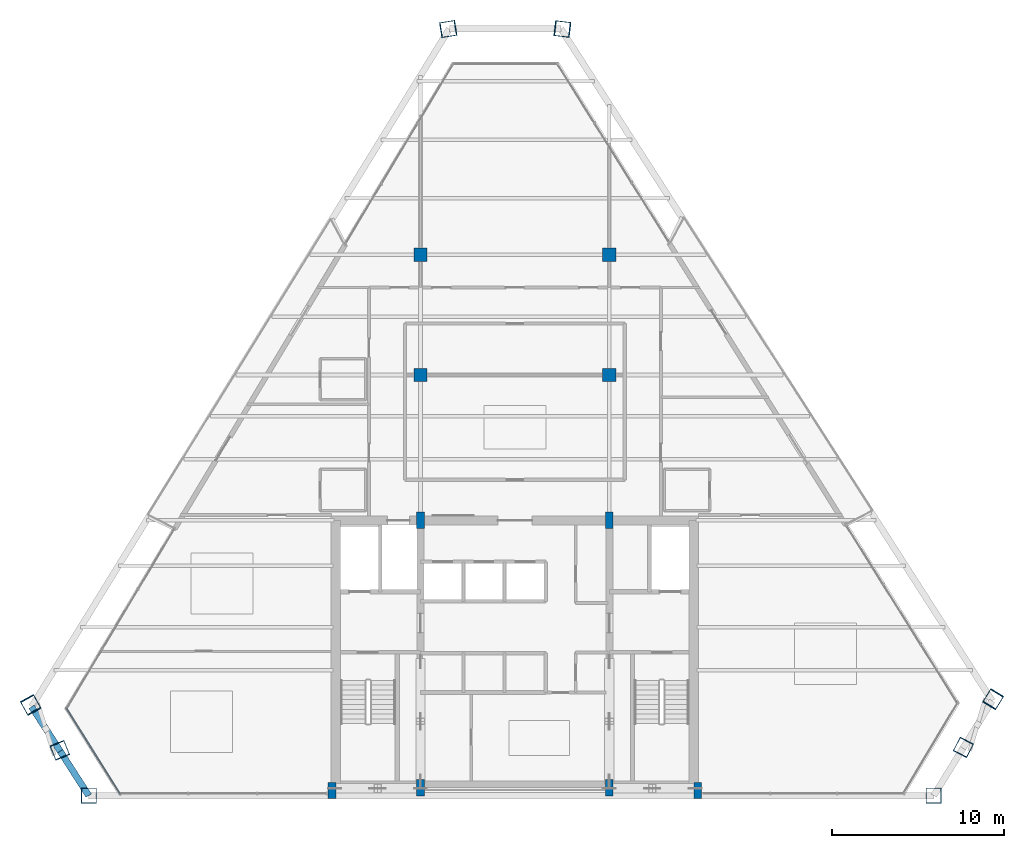
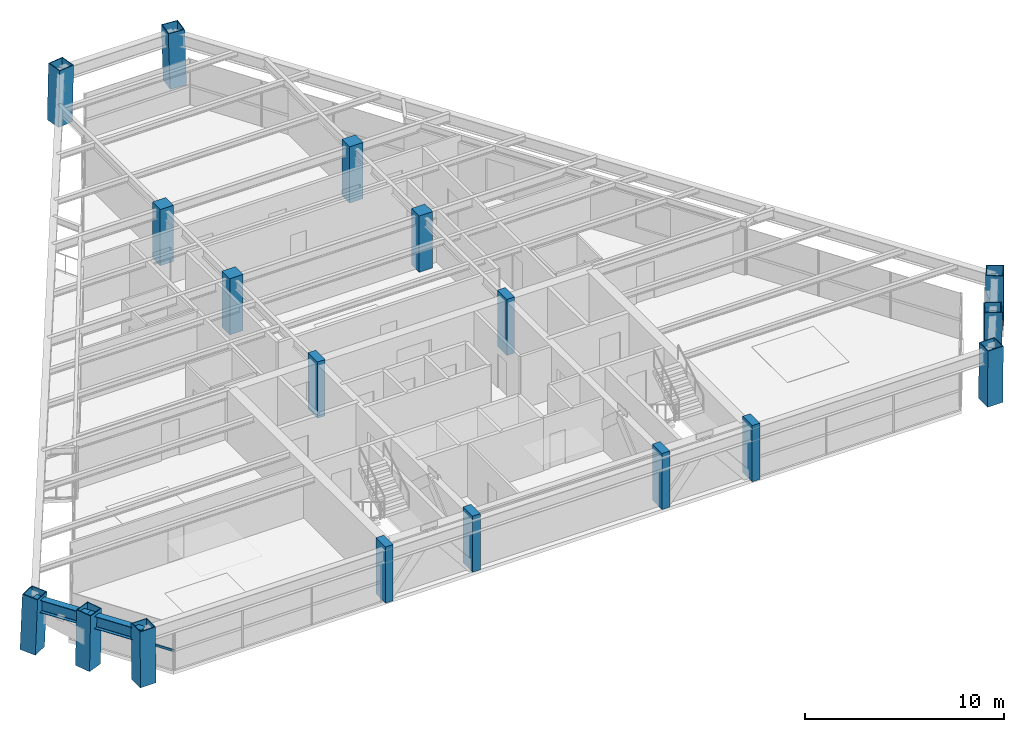
# One storey, part 1 of 12: 18 columns, 2 beams, 1 member, 1 element without a shape of its own.
"""IFC4 building model written with IfcOpenShell, lengths in metres."""

from ifc_helpers import new_model, si_unit, direction, frame, origin, origin_2d, place, context, subcontext, project, spatial, rectangle, hollow_rectangle, i_section, extrude, source, transform, mapped, material, material_profile, profile_set, type_object, element, aggregate, save


model = new_model("IFC4")

# Units and contexts
model_context = context("Model", 3, precision=1e-05, world=origin(), true_north=direction((0.0, 1.0)))
body_context = subcontext(model_context, "Body", "Model", "MODEL_VIEW")
ifc_project = project(units=[si_unit("LENGTHUNIT", "METRE"), si_unit("AREAUNIT", "SQUARE_METRE"), si_unit("VOLUMEUNIT", "CUBIC_METRE"), si_unit("PLANEANGLEUNIT", "RADIAN"), si_unit("MASSUNIT", "GRAM", prefix="KILO")], contexts=[model_context])

# Site, building, storey
site_placement = place(None, origin())
site = spatial("IfcSite", under=ifc_project, at=site_placement, CompositionType="ELEMENT")
building_placement = place(site_placement, origin())
building = spatial("IfcBuilding", under=site, at=building_placement, Name="Varnakhor Terracotta Tower", CompositionType="ELEMENT")
storey_placement = place(building_placement, frame((0.0, 0.0, 220.0)))
storey = spatial("IfcBuildingStorey", under=building, at=storey_placement, Name="L56", CompositionType="ELEMENT", Elevation=220.0)

# Columns
ifc_material_1 = material(Name="Concrete C50/60", Category="concrete")
ifc_material_profile_1 = material_profile(ifc_material_1, rectangle(XDim=0.449951171875, YDim=0.949951171875, at=origin_2d()), Name="RC PILASTER 950x450")
ifc_profile_set_1 = profile_set([ifc_material_profile_1], Name="Concrete C50/60")
column_type_1 = type_object("IfcColumnType", Name="COL-PIL-950x450", PredefinedType="PILASTER", material=ifc_profile_set_1)
shared_shape_1 = source(origin(), body_context, "Body", "SweptSolid", [
    extrude(rectangle(XDim=0.449951171875, YDim=0.949951171875, at=origin_2d()), origin(), (0.0, 0.0, 1.0), 3.449951171875),
])
for number, where, z_axis, x_axis, name in (
    (1, (-10.64990234375, 0.300048828125, 0.0), (0.0, 0.0, 1.0), (1.0, 0.0, 0.0), "L56 Core Pilaster CP1"),
    (2, (-5.5, 0.449951171875, 0.0), (0.0, 0.0, 1.0), (1.0, 0.0, 0.0), "L56 Core Pilaster CP2"),
    (3, (5.5, 0.449951171875, 0.0), (0.0, 0.0, 1.0), (1.0, 0.0, 0.0), "L56 Core Pilaster CP3"),
    (4, (10.64990234375, 0.300048828125, 0.0), (0.0, 0.0, 1.0), (1.0, 0.0, 0.0), "L56 Core Pilaster CP4"),
    (5, (-5.5, 16.050048828125, 0.0), (0.0, 0.0, 1.0), (1.0, 0.0, 0.0), "L56 Core Pilaster CP5"),
    (6, (5.5, 16.050048828125, 0.0), (0.0, 0.0, 1.0), (1.0, 0.0, 0.0), "L56 Core Pilaster CP6"),
):
    element("IfcColumn", number, at=place(storey_placement, frame(where, z_axis=z_axis, x_axis=x_axis)), inside=storey, type_object=column_type_1, Name=name, PredefinedType="PILASTER", context=body_context, shape_type="MappedRepresentation", body=[
        mapped(shared_shape_1, transform((0.0, 0.0, 0.0), scale=1.0)),
    ])
ifc_material_2 = material(Name="Steel S460", Category="steel")
ifc_material_profile_2 = material_profile(ifc_material_2, hollow_rectangle(XDim=0.89990234375, YDim=0.89990234375, WallThickness=0.044921875, at=origin_2d()), Name="BOX 900x900x45")
ifc_profile_set_2 = profile_set([ifc_material_profile_2], Name="Steel S460")
column_type_2 = type_object("IfcColumnType", Name="COL-MEGA-900", PredefinedType="COLUMN", material=ifc_profile_set_2)
shared_shape_2 = source(origin(), body_context, "Body", "SweptSolid", [
    extrude(hollow_rectangle(XDim=0.89990234375, YDim=0.89990234375, WallThickness=0.044921875, at=origin_2d()), origin(), (0.0, 0.0, 1.0), 3.441162109375),
])
for number, where, z_axis, x_axis, name in (
    (7, (-24.810791015625, 0.0, 0.00439453125), (-0.005108127751, 0.0, 0.99998695343), (0.0, -1.0, 0.0), "L56 Perimeter Mega-Column M1"),
    (8, (24.388671875, 0.0, 0.00439453125), (0.003121659143, 0.0, 0.99999512761), (0.0, 1.0, 0.0), "L56 Perimeter Mega-Column M2"),
):
    element("IfcColumn", number, at=place(storey_placement, frame(where, z_axis=z_axis, x_axis=x_axis)), inside=storey, type_object=column_type_2, Name=name, PredefinedType="COLUMN", context=body_context, shape_type="MappedRepresentation", body=[
        mapped(shared_shape_2, transform((0.0, 0.0, 0.0), scale=1.0)),
    ])
shared_shape_3 = source(origin(), body_context, "Body", "SweptSolid", [
    extrude(hollow_rectangle(XDim=0.89990234375, YDim=0.89990234375, WallThickness=0.044921875, at=origin_2d()), origin(), (0.0, 0.0, 1.0), 3.44189453125),
])
for number, where, z_axis, x_axis, name in (
    (9, (26.13037109375, 2.818115234375, 0.00439453125), (-0.008724933304, -0.016811456855, 0.999820609138), (0.88758442391, -0.460645080764, 0.0), "L56 Perimeter Mega-Column M3"),
    (10, (-26.51513671875, 2.650634765625, 0.00439453125), (0.007164359834, -0.017662629689, 0.999818335229), (0.926669210153, 0.375877872392, 0.0), "L56 Perimeter Mega-Column M8"),
):
    element("IfcColumn", number, at=place(storey_placement, frame(where, z_axis=z_axis, x_axis=x_axis)), inside=storey, type_object=column_type_2, Name=name, PredefinedType="COLUMN", context=body_context, shape_type="MappedRepresentation", body=[
        mapped(shared_shape_3, transform((0.0, 0.0, 0.0), scale=1.0)),
    ])
shared_shape_4 = source(origin(), body_context, "Body", "SweptSolid", [
    extrude(hollow_rectangle(XDim=0.89990234375, YDim=0.89990234375, WallThickness=0.044921875, at=origin_2d()), origin(), (0.0, 0.0, 1.0), 3.44384765625),
])
column_1_placement = place(storey_placement, frame((27.871826171875, 5.63623046875, 0.00439453125), z_axis=(-0.020487839401, -0.033602892305, 0.999225246912), x_axis=(0.853815703586, -0.520575397334, 0.0)))
element("IfcColumn", 11, at=column_1_placement, inside=storey, type_object=column_type_2, Name="L56 Perimeter Mega-Column M4", PredefinedType="COLUMN", context=body_context, shape_type="MappedRepresentation", body=[
    mapped(shared_shape_4, transform((0.0, 0.0, 0.0), scale=1.0)),
])
shared_shape_5 = source(origin(), body_context, "Body", "SweptSolid", [
    extrude(hollow_rectangle(XDim=0.89990234375, YDim=0.89990234375, WallThickness=0.044921875, at=origin_2d()), origin(), (0.0, 0.0, 1.0), 3.44287109375),
])
column_2_placement = place(storey_placement, frame((2.783203125, 44.65478515625, 0.00439453125), z_axis=(-0.030209491427, 0.003616629255, 0.999537046147), x_axis=(-0.118869493503, -0.992909886905, 0.0)))
element("IfcColumn", 12, at=column_2_placement, inside=storey, type_object=column_type_2, Name="L56 Perimeter Mega-Column M5", PredefinedType="COLUMN", context=body_context, shape_type="MappedRepresentation", body=[
    mapped(shared_shape_5, transform((0.0, 0.0, 0.0), scale=1.0)),
])
shared_shape_6 = source(origin(), body_context, "Body", "SweptSolid", [
    extrude(hollow_rectangle(XDim=0.89990234375, YDim=0.89990234375, WallThickness=0.044921875, at=origin_2d()), origin(), (0.0, 0.0, 1.0), 3.442138671875),
])
column_3_placement = place(storey_placement, frame((-3.898681640625, 44.65478515625, 0.00439453125), z_axis=(0.022838872076, 0.003617336882, 0.999732614651), x_axis=(-0.156435094066, 0.987688240967, 0.0)))
element("IfcColumn", 13, at=column_3_placement, inside=storey, type_object=column_type_2, Name="L56 Perimeter Mega-Column M6", PredefinedType="COLUMN", context=body_context, shape_type="MappedRepresentation", body=[
    mapped(shared_shape_6, transform((0.0, 0.0, 0.0), scale=1.0)),
])
shared_shape_7 = source(origin(), body_context, "Body", "SweptSolid", [
    extrude(hollow_rectangle(XDim=0.89990234375, YDim=0.89990234375, WallThickness=0.044921875, at=origin_2d()), origin(), (0.0, 0.0, 1.0), 3.444091796875),
])
column_4_placement = place(storey_placement, frame((-28.219482421875, 5.301513671875, 0.00439453125), z_axis=(0.019494544122, -0.035373736426, 0.999183997831), x_axis=(0.875807974762, 0.48265970553, 0.0)))
element("IfcColumn", 14, at=column_4_placement, inside=storey, type_object=column_type_2, Name="L56 Perimeter Mega-Column M7", PredefinedType="COLUMN", context=body_context, shape_type="MappedRepresentation", body=[
    mapped(shared_shape_7, transform((0.0, 0.0, 0.0), scale=1.0)),
])
ifc_material_profile_3 = material_profile(ifc_material_1, rectangle(XDim=0.780029296875, YDim=0.780029296875, at=origin_2d()), Name="RC 780x780")
ifc_profile_set_3 = profile_set([ifc_material_profile_3], Name="Concrete C50/60")
column_type_3 = type_object("IfcColumnType", Name="COL-RC-780", PredefinedType="COLUMN", material=ifc_profile_set_3)
shared_shape_8 = source(origin(), body_context, "Body", "SweptSolid", [
    extrude(rectangle(XDim=0.780029296875, YDim=0.780029296875, at=origin_2d()), origin(), (0.0, 0.0, 1.0), 3.449951171875),
])
for number, where, z_axis, x_axis, name in (
    (15, (-5.5, 24.5, 0.0), (0.0, 0.0, 1.0), (1.0, 0.0, 0.0), "L56 Interior Tower Column IC1"),
    (16, (5.5, 24.5, 0.0), (0.0, 0.0, 1.0), (1.0, 0.0, 0.0), "L56 Interior Tower Column IC2"),
    (17, (-5.5, 31.5, 0.0), (0.0, 0.0, 1.0), (1.0, 0.0, 0.0), "L56 Interior Tower Column IC3"),
    (18, (5.5, 31.5, 0.0), (0.0, 0.0, 1.0), (1.0, 0.0, 0.0), "L56 Interior Tower Column IC4"),
):
    element("IfcColumn", number, at=place(storey_placement, frame(where, z_axis=z_axis, x_axis=x_axis)), inside=storey, type_object=column_type_3, Name=name, PredefinedType="COLUMN", context=body_context, shape_type="MappedRepresentation", body=[
        mapped(shared_shape_8, transform((0.0, 0.0, 0.0), scale=1.0)),
    ])

# Beams
ifc_material_3 = material(Name="Steel S355", Category="steel")
ifc_material_profile_4 = material_profile(ifc_material_3, i_section(OverallWidth=0.381103515625, OverallDepth=0.77294921875, WebThickness=0.01708984375, FlangeThickness=0.027099609375, FilletRadius=0.01806640625, at=origin_2d()), Name="W30X173")
ifc_profile_set_4 = profile_set([ifc_material_profile_4], Name="Steel S355")
beam_type = type_object("IfcBeamType", Name="BM-W30X173", PredefinedType="BEAM", material=ifc_profile_set_4)
shared_shape_9 = source(origin(), body_context, "Body", "SweptSolid", [
    extrude(i_section(OverallWidth=0.381103515625, OverallDepth=0.77294921875, WebThickness=0.01708984375, FlangeThickness=0.027099609375, FilletRadius=0.01806640625, at=origin_2d()), origin(), (0.0, 0.0, 1.0), 3.0771484375),
])
beam_1_placement = place(storey_placement, frame((-28.15234375, 5.1796875, 2.853515625), z_axis=(0.540059681519, -0.84162672272, 0.0), x_axis=(0.84162672272, 0.540059681519, 0.0)))
element("IfcBeam", 19, at=beam_1_placement, inside=storey, type_object=beam_type, Name="L56 Perimeter Spandrel 7", PredefinedType="BEAM", context=body_context, shape_type="MappedRepresentation", body=[
    mapped(shared_shape_9, transform((0.0, 0.0, 0.0), scale=1.0)),
])
shared_shape_10 = source(origin(), body_context, "Body", "SweptSolid", [
    extrude(i_section(OverallWidth=0.381103515625, OverallDepth=0.77294921875, WebThickness=0.01708984375, FlangeThickness=0.027099609375, FilletRadius=0.01806640625, at=origin_2d()), origin(), (0.0, 0.0, 1.0), 3.077392578125),
])
beam_2_placement = place(storey_placement, frame((-26.490478515625, 2.58984375, 2.853515625), z_axis=(0.540115876448, -0.8415906606, 0.0), x_axis=(0.8415906606, 0.540115876448, 0.0)))
element("IfcBeam", 20, at=beam_2_placement, inside=storey, type_object=beam_type, Name="L56 Perimeter Spandrel 8", PredefinedType="BEAM", context=body_context, shape_type="MappedRepresentation", body=[
    mapped(shared_shape_10, transform((0.0, 0.0, 0.0), scale=1.0)),
])

# Curtain wall, member
ifc_material_4 = material(Name="Anodised Aluminium Curtain Wall System", Category="aluminium")
curtain_wall_type = type_object("IfcCurtainWallType", Name="CW-SYS-HOTEL-LOGGIA", PredefinedType="NOTDEFINED", material=ifc_material_4)
curtain_wall_placement = place(storey_placement, origin())
curtain_wall = element("IfcCurtainWall", 21, at=curtain_wall_placement, inside=storey, type_object=curtain_wall_type, Name="L56 Facet Curtain Wall 6", PredefinedType="NOTDEFINED")
ifc_material_5 = material(Name="Anodised Aluminium 6063-T6", Category="aluminium")
ifc_material_profile_5 = material_profile(ifc_material_5, rectangle(XDim=0.06494140625, YDim=0.14501953125, at=origin_2d()), Name="ALU TRANSOM 65x145")
ifc_profile_set_5 = profile_set([ifc_material_profile_5], Name="Anodised Aluminium 6063-T6")
member_type = type_object("IfcMemberType", Name="CWT-04", PredefinedType="USERDEFINED", material=ifc_profile_set_5)
shared_shape_11 = source(origin(), body_context, "Body", "SweptSolid", [
    extrude(rectangle(XDim=0.06494140625, YDim=0.14501953125, at=origin_2d()), origin(), (0.0, 0.0, 1.0), 5.925048828125),
])
member_placement = place(storey_placement, frame((-22.991943359375, 0.089111328125, 1.184326171875), z_axis=(-0.530546985787, 0.847655529016, 0.0), x_axis=(-0.847655529016, -0.530546985787, 0.0)))
member = element("IfcMember", 22, at=member_placement, type_object=member_type, Name="L56 Facet Curtain Wall 6 Transom 1", ObjectType="TRANSOM", PredefinedType="USERDEFINED", context=body_context, shape_type="MappedRepresentation", body=[
    mapped(shared_shape_11, transform((0.0, 0.0, 0.0), scale=1.0)),
])
aggregate(curtain_wall, [member])

save(model, "model.ifc")
